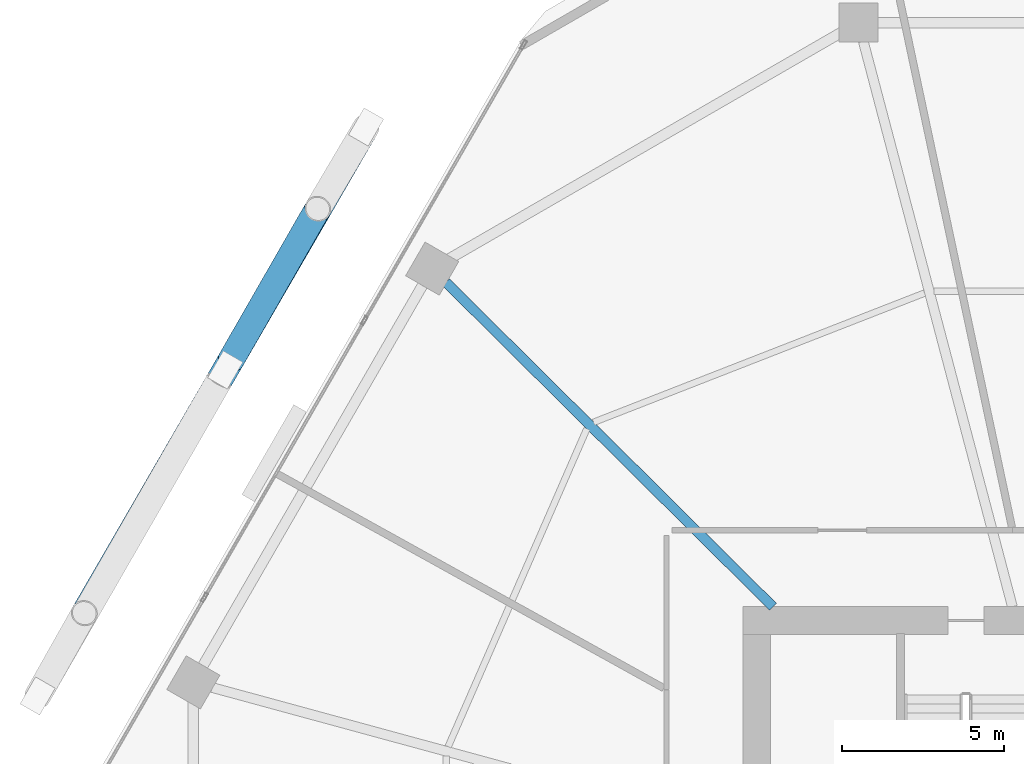
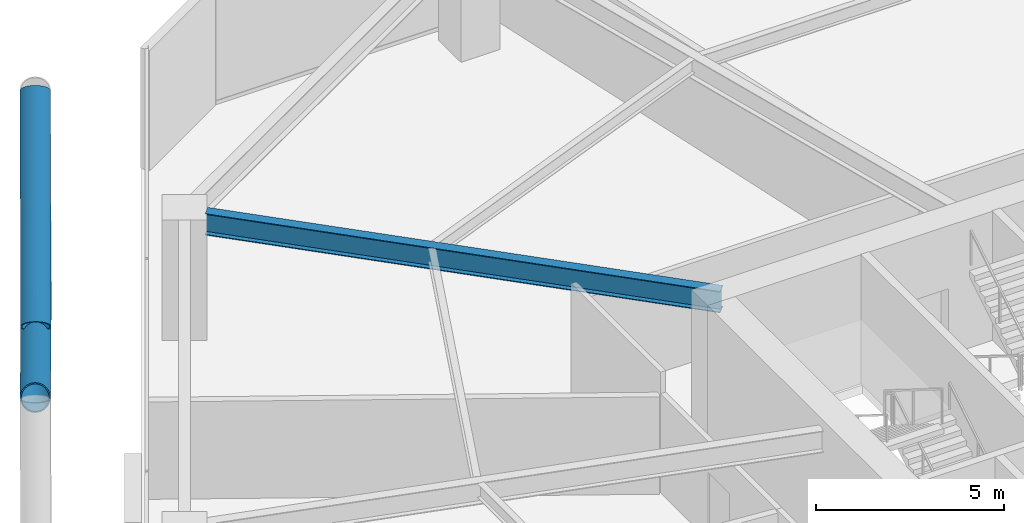
# One storey, part 15 of 30: 2 members, 1 beam.
"""IFC4 building model written with IfcOpenShell, lengths in metres."""

from ifc_helpers import new_model, si_unit, direction, frame, origin, origin_2d, place, context, subcontext, project, spatial, hollow_circle, i_section, extrude, material, material_profile, profile_set, type_object, element, save


model = new_model("IFC4")

# Units and contexts
model_context = context("Model", 3, precision=1e-05, world=origin(), true_north=direction((0.0, 1.0)))
body_context = subcontext(model_context, "Body", "Model", "MODEL_VIEW")
ifc_project = project(units=[si_unit("LENGTHUNIT", "METRE"), si_unit("AREAUNIT", "SQUARE_METRE"), si_unit("VOLUMEUNIT", "CUBIC_METRE"), si_unit("PLANEANGLEUNIT", "RADIAN"), si_unit("MASSUNIT", "GRAM", prefix="KILO")], contexts=[model_context])

# Site, building, storey
site_placement = place(None, origin())
site = spatial("IfcSite", under=ifc_project, at=site_placement, CompositionType="ELEMENT")
building_placement = place(site_placement, origin())
building = spatial("IfcBuilding", under=site, at=building_placement, Name="Zuhravey Tower", CompositionType="ELEMENT")
storey_placement = place(building_placement, frame((0.0, 0.0, 58.199951171875)))
storey = spatial("IfcBuildingStorey", under=building, at=storey_placement, Name="L14", CompositionType="ELEMENT", Elevation=58.199951171875)

# Members
ifc_material_1 = material(Name="Steel SM460", Category="steel")
ifc_material_profile_1 = material_profile(ifc_material_1, hollow_circle(Radius=0.406494140625, WallThickness=0.035888671875, at=origin_2d()), Name="CHS-812.8x36")
ifc_profile_set_1 = profile_set([ifc_material_profile_1], Name="Steel SM460")
member_type = type_object("IfcMemberType", Name="Exoskeleton Zone 1 Diagrid CHS813x36", PredefinedType="BRACE", material=ifc_profile_set_1)
member_1_placement = place(storey_placement, frame((13.420654296875, 56.688720703125, -0.471923828125), z_axis=(-0.451282003886, -0.778532501156, 0.436155588767), x_axis=(0.865159859192, -0.50149617949, 0.0)))
element("IfcMember", 1, at=member_1_placement, inside=storey, type_object=member_type, Name="L14 Face 3 Diagrid Brace 2", PredefinedType="BRACE", context=body_context, shape_type="SweptSolid", body=[
    extrude(hollow_circle(Radius=0.406494140625, WallThickness=0.035888671875, at=origin_2d()), origin(), (0.0, 0.0, 1.0), 19.158203125),
])
member_2_placement = place(storey_placement, frame((9.257080078125, 49.50830078125, 3.940673828125), z_axis=(0.40123405969, 0.699213942278, 0.591701860965), x_axis=(-0.86734227993, 0.497712135121, 0.0)))
element("IfcMember", 2, at=member_2_placement, inside=storey, type_object=member_type, Name="L14 Face 3 Split Diagrid Brace 3B", PredefinedType="BRACE", context=body_context, shape_type="SweptSolid", body=[
    extrude(hollow_circle(Radius=0.406494140625, WallThickness=0.035888671875, at=origin_2d()), origin(), (0.0, 0.0, 1.0), 6.651123046875),
])

# Beam
ifc_material_2 = material(Name="Steel SM355", Category="steel")
ifc_material_profile_2 = material_profile(ifc_material_2, i_section(OverallWidth=0.300048828125, OverallDepth=0.699951171875, WebThickness=0.012939453125, FlangeThickness=0.02392578125, at=origin_2d()), Name="H-700x300x13x24")
ifc_profile_set_2 = profile_set([ifc_material_profile_2], Name="Steel SM355")
beam_type = type_object("IfcBeamType", Name="Radial Primary Girder H700x300", PredefinedType="BEAM", material=ifc_profile_set_2)
beam_placement = place(storey_placement, frame((25.992919921875, 41.927978515625, 3.570068359375), z_axis=(-0.709902823282, 0.704299639, 0.0), x_axis=(-0.704299639, -0.709902823282, 0.0)))
element("IfcBeam", 3, at=beam_placement, inside=storey, type_object=beam_type, Name="L14 RG1 BM-L14-RAD-05", PredefinedType="BEAM", context=body_context, shape_type="SweptSolid", body=[
    extrude(i_section(OverallWidth=0.300048828125, OverallDepth=0.699951171875, WebThickness=0.012939453125, FlangeThickness=0.02392578125, at=origin_2d()), origin(), (0.0, 0.0, 1.0), 14.204345703125),
])

save(model, "model.ifc")
